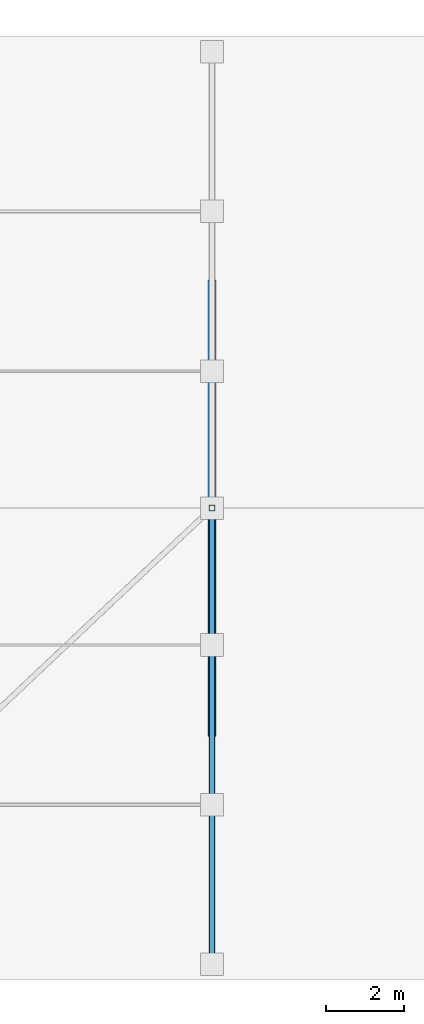
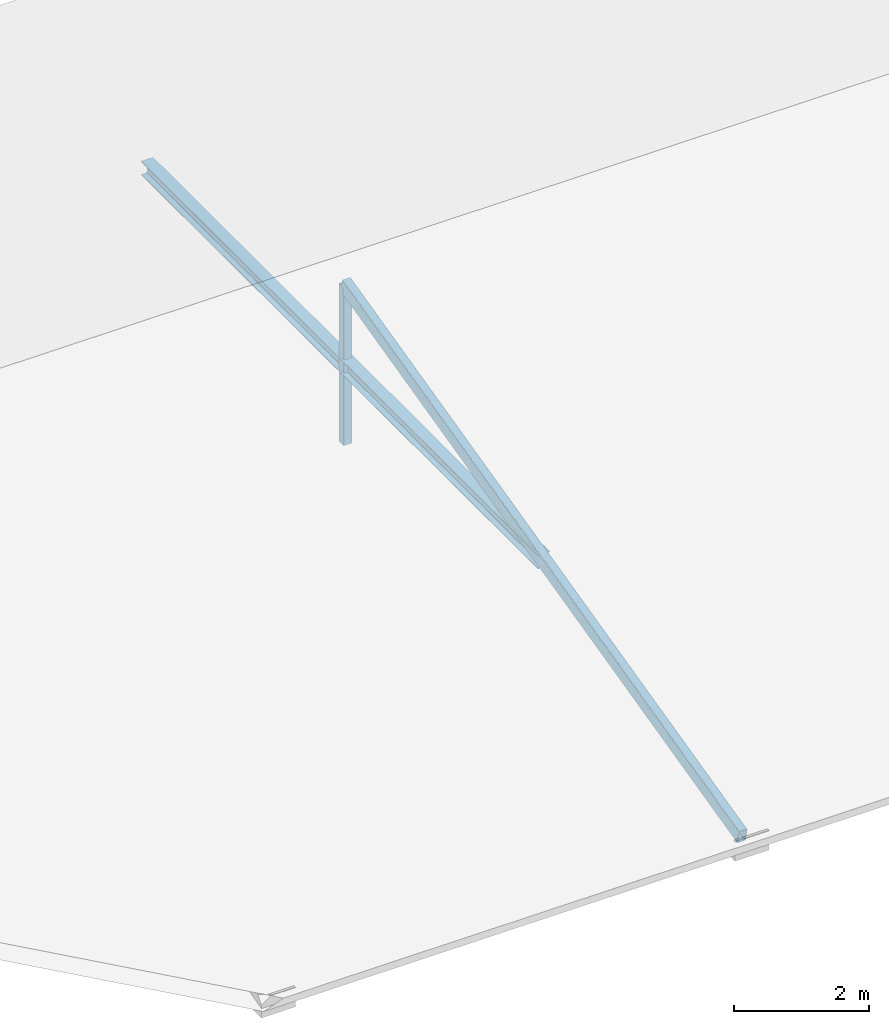
# One storey, part 19 of 54: 3 members.
"""IFC4 building model written with IfcOpenShell, lengths in metres."""

import ifcopenshell
import ifcopenshell.guid

model = None  # the IFC model being written
_history = None  # IfcOwnerHistory: only IFC2X3 demands one
_inside = {}  # id of a spatial element -> (the spatial element, [elements in it])
_under = {}  # id of a project, library or spatial element -> (it, [spatial elements below it])
_declared = {}  # id of a project -> (the project, [libraries it declares])
_typed = {}  # id of a type object -> (the type object, [elements of that type])
_made_of = {}  # id of a material, layer set ... -> (it, [elements and type objects made of it])


def new_model(schema):
    """Start an empty IFC model of exactly this schema.

    Asked for "IFC4X3", IfcOpenShell would pick the latest addendum, in which some entities
    have other attributes; the version numbers below select the first issue.
    IFC2X3 requires an IfcOwnerHistory on every rooted entity: one is made here for all.
    """
    global model, _history
    if schema == "IFC4X3":
        model = ifcopenshell.file(schema_version=(4, 3, 0, 0))
    else:
        model = ifcopenshell.file(schema=schema)
    _inside.clear()
    _under.clear()
    _declared.clear()
    _typed.clear()
    _made_of.clear()
    _history = None
    if model.schema == "IFC2X3":
        org = make("IfcOrganization", Name="unknown")
        user = make(
            "IfcPersonAndOrganization",
            ThePerson=make("IfcPerson", FamilyName="unknown"),
            TheOrganization=org,
        )
        app = make(
            "IfcApplication",
            ApplicationDeveloper=org,
            Version="unknown",
            ApplicationFullName="unknown",
            ApplicationIdentifier="unknown",
        )
        _history = make(
            "IfcOwnerHistory",
            OwningUser=user,
            OwningApplication=app,
            ChangeAction="ADDED",
            CreationDate=0,
        )
    return model


def make(cls, **values):
    """One entity of the class cls with the attributes given. An attribute that is None is left unset."""
    return model.create_entity(
        cls, **{name: value for name, value in values.items() if value is not None}
    )


def rooted(cls, **values):
    """An entity with a GlobalId (a new one), such as an element, a storey or a relation."""
    return make(cls, GlobalId=ifcopenshell.guid.new(), OwnerHistory=_history, **values)


def si_unit(unit_type, name, prefix=None):
    """IfcSIUnit, for example si_unit("LENGTHUNIT", "METRE", prefix="MILLI")."""
    return make("IfcSIUnit", UnitType=unit_type, Prefix=prefix, Name=name)


def assignment(units):
    """IfcUnitAssignment: the units of a project."""
    return None if units is None else make("IfcUnitAssignment", Units=units)


def point(xyz):
    """IfcCartesianPoint."""
    return None if xyz is None else make("IfcCartesianPoint", Coordinates=xyz)


def direction(xyz):
    """IfcDirection."""
    return None if xyz is None else make("IfcDirection", DirectionRatios=xyz)


def frame(location, z_axis=None, x_axis=None):
    """IfcAxis2Placement3D, a coordinate frame: its origin and axes. An axis left out is left unset."""
    return make(
        "IfcAxis2Placement3D",
        Location=point(location),
        Axis=direction(z_axis),
        RefDirection=direction(x_axis),
    )


def frame_2d(location, x_axis=None):
    """IfcAxis2Placement2D, a coordinate frame in the plane: its origin and x axis."""
    return make(
        "IfcAxis2Placement2D", Location=point(location), RefDirection=direction(x_axis)
    )


def origin():
    """The frame at (0, 0, 0) with its axes left unset."""
    return frame((0.0, 0.0, 0.0))


def origin_2d():
    """The frame at (0, 0) in the plane with its x axis left unset."""
    return frame_2d((0.0, 0.0))


def place(relative_to, where):
    """IfcLocalPlacement: puts the frame where relative to a parent placement (None: the world)."""
    return make(
        "IfcLocalPlacement", PlacementRelTo=relative_to, RelativePlacement=where
    )


def context(
    kind, dimensions, precision=None, world=None, true_north=None, identifier=None
):
    """IfcGeometricRepresentationContext, for example the 3D "Model" context."""
    return make(
        "IfcGeometricRepresentationContext",
        ContextIdentifier=identifier,
        ContextType=kind,
        CoordinateSpaceDimension=dimensions,
        Precision=precision,
        WorldCoordinateSystem=world,
        TrueNorth=true_north,
    )


def subcontext(parent, identifier, kind, view, scale=None):
    """IfcGeometricRepresentationSubContext, for example "Body" below "Model"."""
    return make(
        "IfcGeometricRepresentationSubContext",
        ContextIdentifier=identifier,
        ContextType=kind,
        ParentContext=parent,
        TargetScale=scale,
        TargetView=view,
    )


def project(units=None, contexts=None):
    """IfcProject with its units and contexts."""
    return rooted(
        "IfcProject",
        Name="project",
        RepresentationContexts=contexts,
        UnitsInContext=assignment(units),
    )


def spatial(cls, under=None, at=None, **own):
    """A site, building, storey or space (cls), placed at a placement, below another one or the project."""
    s = rooted(cls, ObjectPlacement=at, **own)
    if under is not None:
        _under.setdefault(under.id(), (under, []))[1].append(s)
    return s


def profile(cls, at=None, kind="AREA", **sizes):
    """A parametric profile (cls). Its sizes go by their IFC names, for example OverallWidth=200.0."""
    return make(cls, ProfileType=kind, Position=at, **sizes)


def hollow_rectangle(**sizes):
    """IfcRectangleHollowProfileDef."""
    return profile("IfcRectangleHollowProfileDef", **sizes)


def i_section(**sizes):
    """IfcIShapeProfileDef."""
    return profile("IfcIShapeProfileDef", **sizes)


def extrude(swept, where, along, depth):
    """IfcExtrudedAreaSolid: the profile swept, set in the frame where, extruded along a direction by depth."""
    return make(
        "IfcExtrudedAreaSolid",
        SweptArea=swept,
        Position=where,
        ExtrudedDirection=direction(along),
        Depth=depth,
    )


def shape(context_of_items, identifier, shape_type, items):
    """IfcShapeRepresentation: the items that make up one representation, for example the "Body"."""
    return make(
        "IfcShapeRepresentation",
        ContextOfItems=context_of_items,
        RepresentationIdentifier=identifier,
        RepresentationType=shape_type,
        Items=items,
    )


def material(Name=None, Category=None):
    """IfcMaterial."""
    return make("IfcMaterial", Name=Name, Category=Category)


def material_profile(
    of_material, cross_section, Name=None, Category=None, Priority=None
):
    """IfcMaterialProfile: a cross section and its material."""
    return make(
        "IfcMaterialProfile",
        Name=Name,
        Material=of_material,
        Profile=cross_section,
        Priority=Priority,
        Category=Category,
    )


def profile_set(profiles, Name=None, composite=None):
    """IfcMaterialProfileSet."""
    return make(
        "IfcMaterialProfileSet",
        Name=Name,
        MaterialProfiles=profiles,
        CompositeProfile=composite,
    )


def made_of(thing, what):
    """Note that an element or type object is made of a material, layer set ...; save() writes the relation."""
    if what is not None:
        _made_of.setdefault(what.id(), (what, []))[1].append(thing)
    return thing


def type_object(cls, material=None, **own):
    """A type object (cls), such as IfcWallType, which elements share."""
    return made_of(rooted(cls, **own), material)


def element(
    cls,
    number,
    at=None,
    inside=None,
    cuts=None,
    type_object=None,
    material=None,
    context=None,
    identifier="Body",
    shape_type=None,
    held_by="IfcProductDefinitionShape",
    body=None,
    shapes=None,
    **own,
):
    """One element of the class cls, such as IfcWall. Its Tag is "e" and its number.

    at: its placement. inside: the storey or other place that contains it. cuts: it is an
    opening in that element (IfcRelVoidsElement). A single representation is given by context,
    identifier, shape_type and body (its items); several are given by shapes. held_by: the class
    of the entity that holds the representations. save() writes the other relations.
    """
    e = rooted(cls, Tag="e%d" % number, ObjectPlacement=at, **own)
    if body is not None:
        shapes = [shape(context, identifier, shape_type, body)]
    if shapes is not None:
        e.Representation = make(held_by, Representations=shapes)
    if inside is not None:
        _inside.setdefault(inside.id(), (inside, []))[1].append(e)
    if cuts is not None:
        rooted(
            "IfcRelVoidsElement", RelatingBuildingElement=cuts, RelatedOpeningElement=e
        )
    if type_object is not None:
        _typed.setdefault(type_object.id(), (type_object, []))[1].append(e)
    return made_of(e, material)


def aggregate(whole, parts):
    """IfcRelAggregates: a whole, such as a stair, and the parts it consists of."""
    return rooted("IfcRelAggregates", RelatingObject=whole, RelatedObjects=parts)


def save(model, path):
    """Write the relations noted so far, then the file.

    IfcRelAggregates (storeys below a building ...), IfcRelContainedInSpatialStructure (elements
    in a storey), IfcRelDefinesByType, IfcRelAssociatesMaterial and IfcRelDeclares: one each for
    every whole, place, type object, material and project.
    """
    for whole, parts in _under.values():
        aggregate(whole, parts)
    for where, things in _inside.values():
        rooted(
            "IfcRelContainedInSpatialStructure",
            RelatedElements=things,
            RelatingStructure=where,
        )
    for kind, things in _typed.values():
        rooted("IfcRelDefinesByType", RelatedObjects=things, RelatingType=kind)
    for what, things in _made_of.values():
        rooted("IfcRelAssociatesMaterial", RelatedObjects=things, RelatingMaterial=what)
    for by, libraries in _declared.values():
        rooted("IfcRelDeclares", RelatingContext=by, RelatedDefinitions=libraries)
    model.write(path)


model = new_model("IFC4")

# Units and contexts
model_context = context("Model", 3, precision=1e-05, world=origin(), true_north=direction((0.0, 1.0)))
body_context = subcontext(model_context, "Body", "Model", "MODEL_VIEW")
ifc_project = project(units=[si_unit("LENGTHUNIT", "METRE"), si_unit("AREAUNIT", "SQUARE_METRE"), si_unit("VOLUMEUNIT", "CUBIC_METRE"), si_unit("PLANEANGLEUNIT", "RADIAN"), si_unit("MASSUNIT", "GRAM", prefix="KILO")], contexts=[model_context])

# Site, building, storey
site_placement = place(None, origin())
site = spatial("IfcSite", under=ifc_project, at=site_placement, CompositionType="ELEMENT")
building_placement = place(site_placement, origin())
building = spatial("IfcBuilding", under=site, at=building_placement, Name="Parian Resonance Hall", CompositionType="ELEMENT")
storey_placement = place(building_placement, frame((0.0, 0.0, 15.0)))
storey = spatial("IfcBuildingStorey", under=building, at=storey_placement, Name="L03", CompositionType="ELEMENT", Elevation=15.0)

# Members
ifc_material_1 = material(Name="Hollow structural steel S355", Category="steel")
ifc_material_profile_1 = material_profile(ifc_material_1, hollow_rectangle(XDim=0.14990234375, YDim=0.25, WallThickness=0.010009765625, InnerFilletRadius=0.010009765625, OuterFilletRadius=0.02001953125, at=origin_2d()), Name="RHS250x150x10")
ifc_profile_set_1 = profile_set([ifc_material_profile_1], Name="Hollow structural steel S355")
member_type_1 = type_object("IfcMemberType", Name="MEM-RHS250", PredefinedType="RAFTER", material=ifc_profile_set_1)
member_1_placement = place(storey_placement, frame((97.199951171875, 0.39990234375, 0.0), z_axis=(0.0, 0.971819554994, 0.235726011573), x_axis=(-1.0, 0.0, 0.0)))
element("IfcMember", 1, at=member_1_placement, inside=storey, type_object=member_type_1, Name="Rehearsal roof south rafter 3", PredefinedType="RAFTER", context=body_context, shape_type="SweptSolid", body=[
    extrude(hollow_rectangle(XDim=0.14990234375, YDim=0.25, WallThickness=0.010009765625, InnerFilletRadius=0.010009765625, OuterFilletRadius=0.02001953125, at=origin_2d()), origin(), (0.0, 0.0, 1.0), 12.0908203125),
])
ifc_material_2 = material(Name="Hollow structural steel S355", Category="steel")
ifc_material_profile_2 = material_profile(ifc_material_2, hollow_rectangle(XDim=0.14990234375, YDim=0.14990234375, WallThickness=0.008056640625, InnerFilletRadius=0.008056640625, OuterFilletRadius=0.01611328125, at=origin_2d()), Name="SHS150x150x8")
ifc_profile_set_2 = profile_set([ifc_material_profile_2], Name="Hollow structural steel S355")
member_type_2 = type_object("IfcMemberType", Name="MEM-SHS150", PredefinedType="POST", material=ifc_profile_set_2)
member_2_placement = place(storey_placement, frame((97.199951171875, 12.14990234375, 0.0), z_axis=(0.0, 0.0, 1.0), x_axis=(1.0, 0.0, 0.0)))
element("IfcMember", 2, at=member_2_placement, inside=storey, type_object=member_type_2, Name="Rehearsal roof king post 3", PredefinedType="POST", context=body_context, shape_type="SweptSolid", body=[
    extrude(hollow_rectangle(XDim=0.14990234375, YDim=0.14990234375, WallThickness=0.008056640625, InnerFilletRadius=0.008056640625, OuterFilletRadius=0.01611328125, at=origin_2d()), origin(), (0.0, 0.0, 1.0), 2.85009765625),
])
ifc_material_3 = material(Name="Steel S355", Category="steel")
ifc_material_profile_3 = material_profile(ifc_material_3, i_section(OverallWidth=0.202880859375, OverallDepth=0.251953125, WebThickness=0.008056640625, FlangeThickness=0.013427734375, FilletRadius=0.0126953125, at=origin_2d()), Name="W250x58")
ifc_profile_set_3 = profile_set([ifc_material_profile_3], Name="Steel S355")
member_type_3 = type_object("IfcMemberType", Name="MEM-W250-CHORD", PredefinedType="CHORD", material=ifc_profile_set_3)
member_3_placement = place(storey_placement, frame((97.199951171875, 6.27490234375, 1.425048828125), z_axis=(0.0, 1.0, 0.0), x_axis=(-1.0, 0.0, 0.0)))
element("IfcMember", 3, at=member_3_placement, inside=storey, type_object=member_type_3, Name="Rehearsal roof collar chord 3", PredefinedType="CHORD", context=body_context, shape_type="SweptSolid", body=[
    extrude(i_section(OverallWidth=0.202880859375, OverallDepth=0.251953125, WebThickness=0.008056640625, FlangeThickness=0.013427734375, FilletRadius=0.0126953125, at=origin_2d()), origin(), (0.0, 0.0, 1.0), 11.75),
])

save(model, "model.ifc")
